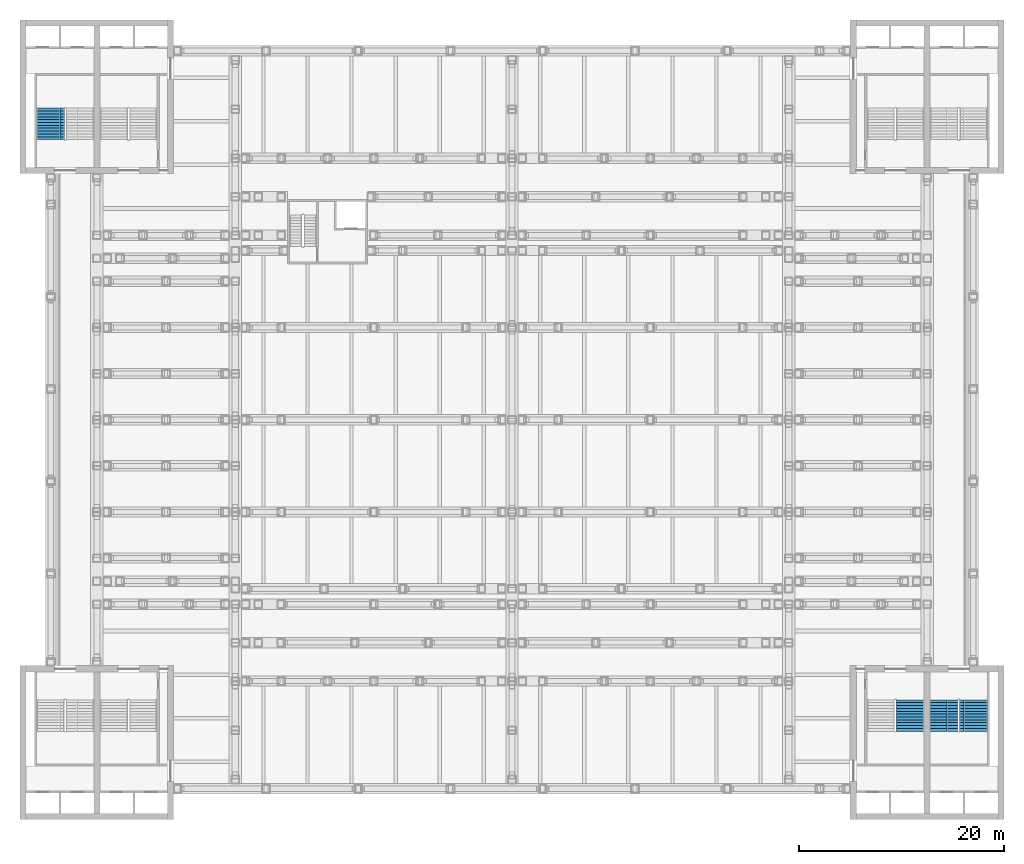
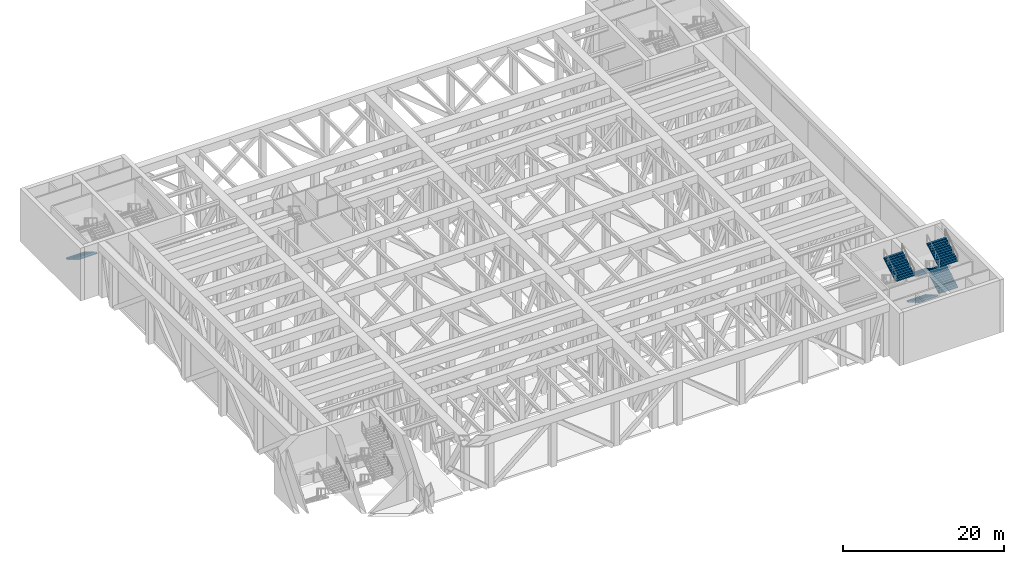
# One storey, part 14 of 20: 6 stair flights, 3 elements without a shape of their own.
"""IFC4 building model written with IfcOpenShell, lengths in metres."""

from ifc_helpers import new_model, si_unit, direction, frame, origin, place, context, subcontext, project, spatial, polyline, outline, extrude, material, type_object, element, aggregate, save


model = new_model("IFC4")

# Units and contexts
model_context = context("Model", 3, precision=1e-05, world=origin(), true_north=direction((0.0, 1.0)))
body_context = subcontext(model_context, "Body", "Model", "MODEL_VIEW")
ifc_project = project(units=[si_unit("LENGTHUNIT", "METRE"), si_unit("AREAUNIT", "SQUARE_METRE"), si_unit("VOLUMEUNIT", "CUBIC_METRE"), si_unit("PLANEANGLEUNIT", "RADIAN"), si_unit("MASSUNIT", "GRAM", prefix="KILO")], contexts=[model_context])

# Site, building, storey
site_placement = place(None, origin())
site = spatial("IfcSite", under=ifc_project, at=site_placement, CompositionType="ELEMENT")
building_placement = place(site_placement, origin())
building = spatial("IfcBuilding", under=site, at=building_placement, Name="Corbelhall Arena Tower", CompositionType="ELEMENT")
storey_placement = place(building_placement, frame((0.0, 0.0, 44.0)))
storey = spatial("IfcBuildingStorey", under=building, at=storey_placement, Name="L06", CompositionType="ELEMENT", Elevation=44.0)

# Stair, stair flight
ifc_material = material(Name="Reinforced concrete C40/50", Category="concrete")
stair_type = type_object("IfcStairType", Name="AR-EXIT-STAIR", PredefinedType="HALF_TURN_STAIR", material=ifc_material)
stair_1_placement = place(storey_placement, origin())
stair_1 = element("IfcStair", 1, at=stair_1_placement, inside=storey, type_object=stair_type, Name="L06 exit stair AS4", PredefinedType="HALF_TURN_STAIR")
stair_flight_type = type_object("IfcStairFlightType", Name="AR-EXIT-FLIGHT", PredefinedType="STRAIGHT", material=ifc_material)
stair_flight_1_placement = place(storey_placement, frame((-45.030029296875, 30.39990234375, 2.0), z_axis=(0.0, 0.0, 1.0), x_axis=(0.0, -1.0, 0.0)))
stair_flight_1 = element("IfcStairFlight", 2, at=stair_flight_1_placement, type_object=stair_flight_type, Name="AS4 flight 2", NumberOfRisers=12, NumberOfTreads=11, PredefinedType="STRAIGHT", RiserHeight=0.166666667, TreadLength=0.28, context=body_context, shape_type="SweptSolid", body=[
    extrude(outline(polyline([(0.0, 0.0), (0.0, 0.166748046875), (0.280029296875, 0.166748046875), (0.280029296875, 0.333251953125), (0.56005859375, 0.333251953125), (0.56005859375, 0.5), (0.840087890625, 0.5), (0.840087890625, 0.666748046875), (1.1201171875, 0.666748046875), (1.1201171875, 0.833251953125), (1.39990234375, 0.833251953125), (1.39990234375, 1.0), (1.679931640625, 1.0), (1.679931640625, 1.166748046875), (1.9599609375, 1.166748046875), (1.9599609375, 1.333251953125), (2.239990234375, 1.333251953125), (2.239990234375, 1.5), (2.52001953125, 1.5), (2.52001953125, 1.666748046875), (2.800048828125, 1.666748046875), (2.800048828125, 1.833251953125), (3.080078125, 1.833251953125), (3.080078125, 2.0), (3.080078125, 1.658935546875), (0.29296875, 0.0), (0.0, 0.0)])), frame((0.0, 1.35986328125, 0.0), z_axis=(0.0, -1.0, 0.0), x_axis=(1.0, 0.0, 0.0)), (0.0, 0.0, 1.0), 0.449951171875),
    extrude(outline(polyline([(0.0, 0.0), (0.0, 0.166748046875), (0.280029296875, 0.166748046875), (0.280029296875, 0.333251953125), (0.56005859375, 0.333251953125), (0.56005859375, 0.5), (0.840087890625, 0.5), (0.840087890625, 0.666748046875), (1.1201171875, 0.666748046875), (1.1201171875, 0.833251953125), (1.39990234375, 0.833251953125), (1.39990234375, 1.0), (1.679931640625, 1.0), (1.679931640625, 1.166748046875), (1.9599609375, 1.166748046875), (1.9599609375, 1.333251953125), (2.239990234375, 1.333251953125), (2.239990234375, 1.5), (2.52001953125, 1.5), (2.52001953125, 1.666748046875), (2.800048828125, 1.666748046875), (2.800048828125, 1.833251953125), (3.080078125, 1.833251953125), (3.080078125, 2.0), (3.080078125, 1.658935546875), (0.29296875, 0.0), (0.0, 0.0)])), frame((0.0, 0.906005859375, 0.0), z_axis=(0.0, -1.0, 0.0), x_axis=(1.0, 0.0, 0.0)), (0.0, 0.0, 1.0), 0.601318359375),
    extrude(outline(polyline([(0.0, 0.0), (0.0, 0.166748046875), (0.280029296875, 0.166748046875), (0.280029296875, 0.333251953125), (0.56005859375, 0.333251953125), (0.56005859375, 0.5), (0.840087890625, 0.5), (0.840087890625, 0.666748046875), (1.1201171875, 0.666748046875), (1.1201171875, 0.833251953125), (1.39990234375, 0.833251953125), (1.39990234375, 1.0), (1.679931640625, 1.0), (1.679931640625, 1.166748046875), (1.9599609375, 1.166748046875), (1.9599609375, 1.333251953125), (2.239990234375, 1.333251953125), (2.239990234375, 1.5), (2.52001953125, 1.5), (2.52001953125, 1.666748046875), (2.800048828125, 1.666748046875), (2.800048828125, 1.833251953125), (3.080078125, 1.833251953125), (3.080078125, 2.0), (3.080078125, 1.658935546875), (0.29296875, 0.0), (0.0, 0.0)])), frame((0.0, 0.30078125, 0.0), z_axis=(0.0, -1.0, 0.0), x_axis=(1.0, 0.0, 0.0)), (0.0, 0.0, 1.0), 0.601318359375),
    extrude(outline(polyline([(0.0, 0.0), (0.0, 0.166748046875), (0.280029296875, 0.166748046875), (0.280029296875, 0.333251953125), (0.56005859375, 0.333251953125), (0.56005859375, 0.5), (0.840087890625, 0.5), (0.840087890625, 0.666748046875), (1.1201171875, 0.666748046875), (1.1201171875, 0.833251953125), (1.39990234375, 0.833251953125), (1.39990234375, 1.0), (1.679931640625, 1.0), (1.679931640625, 1.166748046875), (1.9599609375, 1.166748046875), (1.9599609375, 1.333251953125), (2.239990234375, 1.333251953125), (2.239990234375, 1.5), (2.52001953125, 1.5), (2.52001953125, 1.666748046875), (2.800048828125, 1.666748046875), (2.800048828125, 1.833251953125), (3.080078125, 1.833251953125), (3.080078125, 2.0), (3.080078125, 1.658935546875), (0.29296875, 0.0), (0.0, 0.0)])), frame((0.0, -0.3046875, 0.0), z_axis=(0.0, -1.0, 0.0), x_axis=(1.0, 0.0, 0.0)), (0.0, 0.0, 1.0), 0.601318359375),
    extrude(outline(polyline([(0.0, 0.0), (0.0, 0.166748046875), (0.280029296875, 0.166748046875), (0.280029296875, 0.333251953125), (0.56005859375, 0.333251953125), (0.56005859375, 0.5), (0.840087890625, 0.5), (0.840087890625, 0.666748046875), (1.1201171875, 0.666748046875), (1.1201171875, 0.833251953125), (1.39990234375, 0.833251953125), (1.39990234375, 1.0), (1.679931640625, 1.0), (1.679931640625, 1.166748046875), (1.9599609375, 1.166748046875), (1.9599609375, 1.333251953125), (2.239990234375, 1.333251953125), (2.239990234375, 1.5), (2.52001953125, 1.5), (2.52001953125, 1.666748046875), (2.800048828125, 1.666748046875), (2.800048828125, 1.833251953125), (3.080078125, 1.833251953125), (3.080078125, 2.0), (3.080078125, 1.658935546875), (0.29296875, 0.0), (0.0, 0.0)])), frame((0.0, -0.909912109375, 0.0), z_axis=(0.0, -1.0, 0.0), x_axis=(1.0, 0.0, 0.0)), (0.0, 0.0, 1.0), 0.449951171875),
])
aggregate(stair_1, [stair_flight_1])

stair_2_placement = place(storey_placement, origin())
stair_2 = element("IfcStair", 3, at=stair_2_placement, inside=storey, type_object=stair_type, Name="L06 exit stair AS5", PredefinedType="HALF_TURN_STAIR")
stair_flight_2_placement = place(storey_placement, frame((38.840087890625, -30.39990234375, 6.0), z_axis=(0.0, 0.0, 1.0), x_axis=(0.0, 1.0, 0.0)))
stair_flight_2 = element("IfcStairFlight", 4, at=stair_flight_2_placement, type_object=stair_flight_type, Name="AS5 flight 4", NumberOfRisers=12, NumberOfTreads=11, PredefinedType="STRAIGHT", RiserHeight=0.166666667, TreadLength=0.28, context=body_context, shape_type="SweptSolid", body=[
    extrude(outline(polyline([(0.0, 0.0), (0.0, 0.166748046875), (0.280029296875, 0.166748046875), (0.280029296875, 0.333251953125), (0.56005859375, 0.333251953125), (0.56005859375, 0.5), (0.840087890625, 0.5), (0.840087890625, 0.666748046875), (1.1201171875, 0.666748046875), (1.1201171875, 0.833251953125), (1.39990234375, 0.833251953125), (1.39990234375, 1.0), (1.679931640625, 1.0), (1.679931640625, 1.166748046875), (1.9599609375, 1.166748046875), (1.9599609375, 1.333251953125), (2.239990234375, 1.333251953125), (2.239990234375, 1.5), (2.52001953125, 1.5), (2.52001953125, 1.666748046875), (2.800048828125, 1.666748046875), (2.800048828125, 1.833251953125), (3.080078125, 1.833251953125), (3.080078125, 2.0), (3.080078125, 1.658935546875), (0.29296875, 0.0), (0.0, 0.0)])), frame((0.0, 1.35986328125, 0.0), z_axis=(0.0, -1.0, 0.0), x_axis=(1.0, 0.0, 0.0)), (0.0, 0.0, 1.0), 0.449951171875),
    extrude(outline(polyline([(0.0, 0.0), (0.0, 0.166748046875), (0.280029296875, 0.166748046875), (0.280029296875, 0.333251953125), (0.56005859375, 0.333251953125), (0.56005859375, 0.5), (0.840087890625, 0.5), (0.840087890625, 0.666748046875), (1.1201171875, 0.666748046875), (1.1201171875, 0.833251953125), (1.39990234375, 0.833251953125), (1.39990234375, 1.0), (1.679931640625, 1.0), (1.679931640625, 1.166748046875), (1.9599609375, 1.166748046875), (1.9599609375, 1.333251953125), (2.239990234375, 1.333251953125), (2.239990234375, 1.5), (2.52001953125, 1.5), (2.52001953125, 1.666748046875), (2.800048828125, 1.666748046875), (2.800048828125, 1.833251953125), (3.080078125, 1.833251953125), (3.080078125, 2.0), (3.080078125, 1.658935546875), (0.29296875, 0.0), (0.0, 0.0)])), frame((0.0, 0.906005859375, 0.0), z_axis=(0.0, -1.0, 0.0), x_axis=(1.0, 0.0, 0.0)), (0.0, 0.0, 1.0), 0.601318359375),
    extrude(outline(polyline([(0.0, 0.0), (0.0, 0.166748046875), (0.280029296875, 0.166748046875), (0.280029296875, 0.333251953125), (0.56005859375, 0.333251953125), (0.56005859375, 0.5), (0.840087890625, 0.5), (0.840087890625, 0.666748046875), (1.1201171875, 0.666748046875), (1.1201171875, 0.833251953125), (1.39990234375, 0.833251953125), (1.39990234375, 1.0), (1.679931640625, 1.0), (1.679931640625, 1.166748046875), (1.9599609375, 1.166748046875), (1.9599609375, 1.333251953125), (2.239990234375, 1.333251953125), (2.239990234375, 1.5), (2.52001953125, 1.5), (2.52001953125, 1.666748046875), (2.800048828125, 1.666748046875), (2.800048828125, 1.833251953125), (3.080078125, 1.833251953125), (3.080078125, 2.0), (3.080078125, 1.658935546875), (0.29296875, 0.0), (0.0, 0.0)])), frame((0.0, 0.30078125, 0.0), z_axis=(0.0, -1.0, 0.0), x_axis=(1.0, 0.0, 0.0)), (0.0, 0.0, 1.0), 0.601318359375),
    extrude(outline(polyline([(0.0, 0.0), (0.0, 0.166748046875), (0.280029296875, 0.166748046875), (0.280029296875, 0.333251953125), (0.56005859375, 0.333251953125), (0.56005859375, 0.5), (0.840087890625, 0.5), (0.840087890625, 0.666748046875), (1.1201171875, 0.666748046875), (1.1201171875, 0.833251953125), (1.39990234375, 0.833251953125), (1.39990234375, 1.0), (1.679931640625, 1.0), (1.679931640625, 1.166748046875), (1.9599609375, 1.166748046875), (1.9599609375, 1.333251953125), (2.239990234375, 1.333251953125), (2.239990234375, 1.5), (2.52001953125, 1.5), (2.52001953125, 1.666748046875), (2.800048828125, 1.666748046875), (2.800048828125, 1.833251953125), (3.080078125, 1.833251953125), (3.080078125, 2.0), (3.080078125, 1.658935546875), (0.29296875, 0.0), (0.0, 0.0)])), frame((0.0, -0.3046875, 0.0), z_axis=(0.0, -1.0, 0.0), x_axis=(1.0, 0.0, 0.0)), (0.0, 0.0, 1.0), 0.601318359375),
    extrude(outline(polyline([(0.0, 0.0), (0.0, 0.166748046875), (0.280029296875, 0.166748046875), (0.280029296875, 0.333251953125), (0.56005859375, 0.333251953125), (0.56005859375, 0.5), (0.840087890625, 0.5), (0.840087890625, 0.666748046875), (1.1201171875, 0.666748046875), (1.1201171875, 0.833251953125), (1.39990234375, 0.833251953125), (1.39990234375, 1.0), (1.679931640625, 1.0), (1.679931640625, 1.166748046875), (1.9599609375, 1.166748046875), (1.9599609375, 1.333251953125), (2.239990234375, 1.333251953125), (2.239990234375, 1.5), (2.52001953125, 1.5), (2.52001953125, 1.666748046875), (2.800048828125, 1.666748046875), (2.800048828125, 1.833251953125), (3.080078125, 1.833251953125), (3.080078125, 2.0), (3.080078125, 1.658935546875), (0.29296875, 0.0), (0.0, 0.0)])), frame((0.0, -0.909912109375, 0.0), z_axis=(0.0, -1.0, 0.0), x_axis=(1.0, 0.0, 0.0)), (0.0, 0.0, 1.0), 0.449951171875),
])
aggregate(stair_2, [stair_flight_2])

# Stair, stair flights
stair_3_placement = place(storey_placement, origin())
stair_3 = element("IfcStair", 5, at=stair_3_placement, inside=storey, type_object=stair_type, Name="L06 exit stair AS6", PredefinedType="HALF_TURN_STAIR")
stair_flight_3_placement = place(storey_placement, frame((42.159912109375, -27.320068359375, 0.0), z_axis=(0.0, 0.0, 1.0), x_axis=(0.0, -1.0, 0.0)))
stair_flight_3 = element("IfcStairFlight", 6, at=stair_flight_3_placement, type_object=stair_flight_type, Name="AS6 flight 1", NumberOfRisers=12, NumberOfTreads=11, PredefinedType="STRAIGHT", RiserHeight=0.166666667, TreadLength=0.28, context=body_context, shape_type="SweptSolid", body=[
    extrude(outline(polyline([(0.0, 0.0), (0.0, 0.166748046875), (0.280029296875, 0.166748046875), (0.280029296875, 0.333251953125), (0.56005859375, 0.333251953125), (0.56005859375, 0.5), (0.840087890625, 0.5), (0.840087890625, 0.666748046875), (1.1201171875, 0.666748046875), (1.1201171875, 0.833251953125), (1.39990234375, 0.833251953125), (1.39990234375, 1.0), (1.679931640625, 1.0), (1.679931640625, 1.166748046875), (1.9599609375, 1.166748046875), (1.9599609375, 1.333251953125), (2.239990234375, 1.333251953125), (2.239990234375, 1.5), (2.52001953125, 1.5), (2.52001953125, 1.666748046875), (2.800048828125, 1.666748046875), (2.800048828125, 1.833251953125), (3.080078125, 1.833251953125), (3.080078125, 2.0), (3.080078125, 1.658935546875), (0.29296875, 0.0), (0.0, 0.0)])), frame((0.0, 1.35986328125, 0.0), z_axis=(0.0, -1.0, 0.0), x_axis=(1.0, 0.0, 0.0)), (0.0, 0.0, 1.0), 0.449951171875),
    extrude(outline(polyline([(0.0, 0.0), (0.0, 0.166748046875), (0.280029296875, 0.166748046875), (0.280029296875, 0.333251953125), (0.56005859375, 0.333251953125), (0.56005859375, 0.5), (0.840087890625, 0.5), (0.840087890625, 0.666748046875), (1.1201171875, 0.666748046875), (1.1201171875, 0.833251953125), (1.39990234375, 0.833251953125), (1.39990234375, 1.0), (1.679931640625, 1.0), (1.679931640625, 1.166748046875), (1.9599609375, 1.166748046875), (1.9599609375, 1.333251953125), (2.239990234375, 1.333251953125), (2.239990234375, 1.5), (2.52001953125, 1.5), (2.52001953125, 1.666748046875), (2.800048828125, 1.666748046875), (2.800048828125, 1.833251953125), (3.080078125, 1.833251953125), (3.080078125, 2.0), (3.080078125, 1.658935546875), (0.29296875, 0.0), (0.0, 0.0)])), frame((0.0, 0.906005859375, 0.0), z_axis=(0.0, -1.0, 0.0), x_axis=(1.0, 0.0, 0.0)), (0.0, 0.0, 1.0), 0.601318359375),
    extrude(outline(polyline([(0.0, 0.0), (0.0, 0.166748046875), (0.280029296875, 0.166748046875), (0.280029296875, 0.333251953125), (0.56005859375, 0.333251953125), (0.56005859375, 0.5), (0.840087890625, 0.5), (0.840087890625, 0.666748046875), (1.1201171875, 0.666748046875), (1.1201171875, 0.833251953125), (1.39990234375, 0.833251953125), (1.39990234375, 1.0), (1.679931640625, 1.0), (1.679931640625, 1.166748046875), (1.9599609375, 1.166748046875), (1.9599609375, 1.333251953125), (2.239990234375, 1.333251953125), (2.239990234375, 1.5), (2.52001953125, 1.5), (2.52001953125, 1.666748046875), (2.800048828125, 1.666748046875), (2.800048828125, 1.833251953125), (3.080078125, 1.833251953125), (3.080078125, 2.0), (3.080078125, 1.658935546875), (0.29296875, 0.0), (0.0, 0.0)])), frame((0.0, 0.30078125, 0.0), z_axis=(0.0, -1.0, 0.0), x_axis=(1.0, 0.0, 0.0)), (0.0, 0.0, 1.0), 0.601318359375),
    extrude(outline(polyline([(0.0, 0.0), (0.0, 0.166748046875), (0.280029296875, 0.166748046875), (0.280029296875, 0.333251953125), (0.56005859375, 0.333251953125), (0.56005859375, 0.5), (0.840087890625, 0.5), (0.840087890625, 0.666748046875), (1.1201171875, 0.666748046875), (1.1201171875, 0.833251953125), (1.39990234375, 0.833251953125), (1.39990234375, 1.0), (1.679931640625, 1.0), (1.679931640625, 1.166748046875), (1.9599609375, 1.166748046875), (1.9599609375, 1.333251953125), (2.239990234375, 1.333251953125), (2.239990234375, 1.5), (2.52001953125, 1.5), (2.52001953125, 1.666748046875), (2.800048828125, 1.666748046875), (2.800048828125, 1.833251953125), (3.080078125, 1.833251953125), (3.080078125, 2.0), (3.080078125, 1.658935546875), (0.29296875, 0.0), (0.0, 0.0)])), frame((0.0, -0.3046875, 0.0), z_axis=(0.0, -1.0, 0.0), x_axis=(1.0, 0.0, 0.0)), (0.0, 0.0, 1.0), 0.601318359375),
    extrude(outline(polyline([(0.0, 0.0), (0.0, 0.166748046875), (0.280029296875, 0.166748046875), (0.280029296875, 0.333251953125), (0.56005859375, 0.333251953125), (0.56005859375, 0.5), (0.840087890625, 0.5), (0.840087890625, 0.666748046875), (1.1201171875, 0.666748046875), (1.1201171875, 0.833251953125), (1.39990234375, 0.833251953125), (1.39990234375, 1.0), (1.679931640625, 1.0), (1.679931640625, 1.166748046875), (1.9599609375, 1.166748046875), (1.9599609375, 1.333251953125), (2.239990234375, 1.333251953125), (2.239990234375, 1.5), (2.52001953125, 1.5), (2.52001953125, 1.666748046875), (2.800048828125, 1.666748046875), (2.800048828125, 1.833251953125), (3.080078125, 1.833251953125), (3.080078125, 2.0), (3.080078125, 1.658935546875), (0.29296875, 0.0), (0.0, 0.0)])), frame((0.0, -0.909912109375, 0.0), z_axis=(0.0, -1.0, 0.0), x_axis=(1.0, 0.0, 0.0)), (0.0, 0.0, 1.0), 0.449951171875),
])
stair_flight_4_placement = place(storey_placement, frame((45.030029296875, -30.39990234375, 2.0), z_axis=(0.0, 0.0, 1.0), x_axis=(0.0, 1.0, 0.0)))
stair_flight_4 = element("IfcStairFlight", 7, at=stair_flight_4_placement, type_object=stair_flight_type, Name="AS6 flight 2", NumberOfRisers=12, NumberOfTreads=11, PredefinedType="STRAIGHT", RiserHeight=0.166666667, TreadLength=0.28, context=body_context, shape_type="SweptSolid", body=[
    extrude(outline(polyline([(0.0, 0.0), (0.0, 0.166748046875), (0.280029296875, 0.166748046875), (0.280029296875, 0.333251953125), (0.56005859375, 0.333251953125), (0.56005859375, 0.5), (0.840087890625, 0.5), (0.840087890625, 0.666748046875), (1.1201171875, 0.666748046875), (1.1201171875, 0.833251953125), (1.39990234375, 0.833251953125), (1.39990234375, 1.0), (1.679931640625, 1.0), (1.679931640625, 1.166748046875), (1.9599609375, 1.166748046875), (1.9599609375, 1.333251953125), (2.239990234375, 1.333251953125), (2.239990234375, 1.5), (2.52001953125, 1.5), (2.52001953125, 1.666748046875), (2.800048828125, 1.666748046875), (2.800048828125, 1.833251953125), (3.080078125, 1.833251953125), (3.080078125, 2.0), (3.080078125, 1.658935546875), (0.29296875, 0.0), (0.0, 0.0)])), frame((0.0, 1.35986328125, 0.0), z_axis=(0.0, -1.0, 0.0), x_axis=(1.0, 0.0, 0.0)), (0.0, 0.0, 1.0), 0.449951171875),
    extrude(outline(polyline([(0.0, 0.0), (0.0, 0.166748046875), (0.280029296875, 0.166748046875), (0.280029296875, 0.333251953125), (0.56005859375, 0.333251953125), (0.56005859375, 0.5), (0.840087890625, 0.5), (0.840087890625, 0.666748046875), (1.1201171875, 0.666748046875), (1.1201171875, 0.833251953125), (1.39990234375, 0.833251953125), (1.39990234375, 1.0), (1.679931640625, 1.0), (1.679931640625, 1.166748046875), (1.9599609375, 1.166748046875), (1.9599609375, 1.333251953125), (2.239990234375, 1.333251953125), (2.239990234375, 1.5), (2.52001953125, 1.5), (2.52001953125, 1.666748046875), (2.800048828125, 1.666748046875), (2.800048828125, 1.833251953125), (3.080078125, 1.833251953125), (3.080078125, 2.0), (3.080078125, 1.658935546875), (0.29296875, 0.0), (0.0, 0.0)])), frame((0.0, 0.906005859375, 0.0), z_axis=(0.0, -1.0, 0.0), x_axis=(1.0, 0.0, 0.0)), (0.0, 0.0, 1.0), 0.601318359375),
    extrude(outline(polyline([(0.0, 0.0), (0.0, 0.166748046875), (0.280029296875, 0.166748046875), (0.280029296875, 0.333251953125), (0.56005859375, 0.333251953125), (0.56005859375, 0.5), (0.840087890625, 0.5), (0.840087890625, 0.666748046875), (1.1201171875, 0.666748046875), (1.1201171875, 0.833251953125), (1.39990234375, 0.833251953125), (1.39990234375, 1.0), (1.679931640625, 1.0), (1.679931640625, 1.166748046875), (1.9599609375, 1.166748046875), (1.9599609375, 1.333251953125), (2.239990234375, 1.333251953125), (2.239990234375, 1.5), (2.52001953125, 1.5), (2.52001953125, 1.666748046875), (2.800048828125, 1.666748046875), (2.800048828125, 1.833251953125), (3.080078125, 1.833251953125), (3.080078125, 2.0), (3.080078125, 1.658935546875), (0.29296875, 0.0), (0.0, 0.0)])), frame((0.0, 0.30078125, 0.0), z_axis=(0.0, -1.0, 0.0), x_axis=(1.0, 0.0, 0.0)), (0.0, 0.0, 1.0), 0.601318359375),
    extrude(outline(polyline([(0.0, 0.0), (0.0, 0.166748046875), (0.280029296875, 0.166748046875), (0.280029296875, 0.333251953125), (0.56005859375, 0.333251953125), (0.56005859375, 0.5), (0.840087890625, 0.5), (0.840087890625, 0.666748046875), (1.1201171875, 0.666748046875), (1.1201171875, 0.833251953125), (1.39990234375, 0.833251953125), (1.39990234375, 1.0), (1.679931640625, 1.0), (1.679931640625, 1.166748046875), (1.9599609375, 1.166748046875), (1.9599609375, 1.333251953125), (2.239990234375, 1.333251953125), (2.239990234375, 1.5), (2.52001953125, 1.5), (2.52001953125, 1.666748046875), (2.800048828125, 1.666748046875), (2.800048828125, 1.833251953125), (3.080078125, 1.833251953125), (3.080078125, 2.0), (3.080078125, 1.658935546875), (0.29296875, 0.0), (0.0, 0.0)])), frame((0.0, -0.3046875, 0.0), z_axis=(0.0, -1.0, 0.0), x_axis=(1.0, 0.0, 0.0)), (0.0, 0.0, 1.0), 0.601318359375),
    extrude(outline(polyline([(0.0, 0.0), (0.0, 0.166748046875), (0.280029296875, 0.166748046875), (0.280029296875, 0.333251953125), (0.56005859375, 0.333251953125), (0.56005859375, 0.5), (0.840087890625, 0.5), (0.840087890625, 0.666748046875), (1.1201171875, 0.666748046875), (1.1201171875, 0.833251953125), (1.39990234375, 0.833251953125), (1.39990234375, 1.0), (1.679931640625, 1.0), (1.679931640625, 1.166748046875), (1.9599609375, 1.166748046875), (1.9599609375, 1.333251953125), (2.239990234375, 1.333251953125), (2.239990234375, 1.5), (2.52001953125, 1.5), (2.52001953125, 1.666748046875), (2.800048828125, 1.666748046875), (2.800048828125, 1.833251953125), (3.080078125, 1.833251953125), (3.080078125, 2.0), (3.080078125, 1.658935546875), (0.29296875, 0.0), (0.0, 0.0)])), frame((0.0, -0.909912109375, 0.0), z_axis=(0.0, -1.0, 0.0), x_axis=(1.0, 0.0, 0.0)), (0.0, 0.0, 1.0), 0.449951171875),
])
stair_flight_5_placement = place(storey_placement, frame((42.159912109375, -27.320068359375, 4.0), z_axis=(0.0, 0.0, 1.0), x_axis=(0.0, -1.0, 0.0)))
stair_flight_5 = element("IfcStairFlight", 8, at=stair_flight_5_placement, type_object=stair_flight_type, Name="AS6 flight 3", NumberOfRisers=12, NumberOfTreads=11, PredefinedType="STRAIGHT", RiserHeight=0.166666667, TreadLength=0.28, context=body_context, shape_type="SweptSolid", body=[
    extrude(outline(polyline([(0.0, 0.0), (0.0, 0.166748046875), (0.280029296875, 0.166748046875), (0.280029296875, 0.333251953125), (0.56005859375, 0.333251953125), (0.56005859375, 0.5), (0.840087890625, 0.5), (0.840087890625, 0.666748046875), (1.1201171875, 0.666748046875), (1.1201171875, 0.833251953125), (1.39990234375, 0.833251953125), (1.39990234375, 1.0), (1.679931640625, 1.0), (1.679931640625, 1.166748046875), (1.9599609375, 1.166748046875), (1.9599609375, 1.333251953125), (2.239990234375, 1.333251953125), (2.239990234375, 1.5), (2.52001953125, 1.5), (2.52001953125, 1.666748046875), (2.800048828125, 1.666748046875), (2.800048828125, 1.833251953125), (3.080078125, 1.833251953125), (3.080078125, 2.0), (3.080078125, 1.658935546875), (0.29296875, 0.0), (0.0, 0.0)])), frame((0.0, 1.35986328125, 0.0), z_axis=(0.0, -1.0, 0.0), x_axis=(1.0, 0.0, 0.0)), (0.0, 0.0, 1.0), 0.449951171875),
    extrude(outline(polyline([(0.0, 0.0), (0.0, 0.166748046875), (0.280029296875, 0.166748046875), (0.280029296875, 0.333251953125), (0.56005859375, 0.333251953125), (0.56005859375, 0.5), (0.840087890625, 0.5), (0.840087890625, 0.666748046875), (1.1201171875, 0.666748046875), (1.1201171875, 0.833251953125), (1.39990234375, 0.833251953125), (1.39990234375, 1.0), (1.679931640625, 1.0), (1.679931640625, 1.166748046875), (1.9599609375, 1.166748046875), (1.9599609375, 1.333251953125), (2.239990234375, 1.333251953125), (2.239990234375, 1.5), (2.52001953125, 1.5), (2.52001953125, 1.666748046875), (2.800048828125, 1.666748046875), (2.800048828125, 1.833251953125), (3.080078125, 1.833251953125), (3.080078125, 2.0), (3.080078125, 1.658935546875), (0.29296875, 0.0), (0.0, 0.0)])), frame((0.0, 0.906005859375, 0.0), z_axis=(0.0, -1.0, 0.0), x_axis=(1.0, 0.0, 0.0)), (0.0, 0.0, 1.0), 0.601318359375),
    extrude(outline(polyline([(0.0, 0.0), (0.0, 0.166748046875), (0.280029296875, 0.166748046875), (0.280029296875, 0.333251953125), (0.56005859375, 0.333251953125), (0.56005859375, 0.5), (0.840087890625, 0.5), (0.840087890625, 0.666748046875), (1.1201171875, 0.666748046875), (1.1201171875, 0.833251953125), (1.39990234375, 0.833251953125), (1.39990234375, 1.0), (1.679931640625, 1.0), (1.679931640625, 1.166748046875), (1.9599609375, 1.166748046875), (1.9599609375, 1.333251953125), (2.239990234375, 1.333251953125), (2.239990234375, 1.5), (2.52001953125, 1.5), (2.52001953125, 1.666748046875), (2.800048828125, 1.666748046875), (2.800048828125, 1.833251953125), (3.080078125, 1.833251953125), (3.080078125, 2.0), (3.080078125, 1.658935546875), (0.29296875, 0.0), (0.0, 0.0)])), frame((0.0, 0.30078125, 0.0), z_axis=(0.0, -1.0, 0.0), x_axis=(1.0, 0.0, 0.0)), (0.0, 0.0, 1.0), 0.601318359375),
    extrude(outline(polyline([(0.0, 0.0), (0.0, 0.166748046875), (0.280029296875, 0.166748046875), (0.280029296875, 0.333251953125), (0.56005859375, 0.333251953125), (0.56005859375, 0.5), (0.840087890625, 0.5), (0.840087890625, 0.666748046875), (1.1201171875, 0.666748046875), (1.1201171875, 0.833251953125), (1.39990234375, 0.833251953125), (1.39990234375, 1.0), (1.679931640625, 1.0), (1.679931640625, 1.166748046875), (1.9599609375, 1.166748046875), (1.9599609375, 1.333251953125), (2.239990234375, 1.333251953125), (2.239990234375, 1.5), (2.52001953125, 1.5), (2.52001953125, 1.666748046875), (2.800048828125, 1.666748046875), (2.800048828125, 1.833251953125), (3.080078125, 1.833251953125), (3.080078125, 2.0), (3.080078125, 1.658935546875), (0.29296875, 0.0), (0.0, 0.0)])), frame((0.0, -0.3046875, 0.0), z_axis=(0.0, -1.0, 0.0), x_axis=(1.0, 0.0, 0.0)), (0.0, 0.0, 1.0), 0.601318359375),
    extrude(outline(polyline([(0.0, 0.0), (0.0, 0.166748046875), (0.280029296875, 0.166748046875), (0.280029296875, 0.333251953125), (0.56005859375, 0.333251953125), (0.56005859375, 0.5), (0.840087890625, 0.5), (0.840087890625, 0.666748046875), (1.1201171875, 0.666748046875), (1.1201171875, 0.833251953125), (1.39990234375, 0.833251953125), (1.39990234375, 1.0), (1.679931640625, 1.0), (1.679931640625, 1.166748046875), (1.9599609375, 1.166748046875), (1.9599609375, 1.333251953125), (2.239990234375, 1.333251953125), (2.239990234375, 1.5), (2.52001953125, 1.5), (2.52001953125, 1.666748046875), (2.800048828125, 1.666748046875), (2.800048828125, 1.833251953125), (3.080078125, 1.833251953125), (3.080078125, 2.0), (3.080078125, 1.658935546875), (0.29296875, 0.0), (0.0, 0.0)])), frame((0.0, -0.909912109375, 0.0), z_axis=(0.0, -1.0, 0.0), x_axis=(1.0, 0.0, 0.0)), (0.0, 0.0, 1.0), 0.449951171875),
])
stair_flight_6_placement = place(storey_placement, frame((45.030029296875, -30.39990234375, 6.0), z_axis=(0.0, 0.0, 1.0), x_axis=(0.0, 1.0, 0.0)))
stair_flight_6 = element("IfcStairFlight", 9, at=stair_flight_6_placement, type_object=stair_flight_type, Name="AS6 flight 4", NumberOfRisers=12, NumberOfTreads=11, PredefinedType="STRAIGHT", RiserHeight=0.166666667, TreadLength=0.28, context=body_context, shape_type="SweptSolid", body=[
    extrude(outline(polyline([(0.0, 0.0), (0.0, 0.166748046875), (0.280029296875, 0.166748046875), (0.280029296875, 0.333251953125), (0.56005859375, 0.333251953125), (0.56005859375, 0.5), (0.840087890625, 0.5), (0.840087890625, 0.666748046875), (1.1201171875, 0.666748046875), (1.1201171875, 0.833251953125), (1.39990234375, 0.833251953125), (1.39990234375, 1.0), (1.679931640625, 1.0), (1.679931640625, 1.166748046875), (1.9599609375, 1.166748046875), (1.9599609375, 1.333251953125), (2.239990234375, 1.333251953125), (2.239990234375, 1.5), (2.52001953125, 1.5), (2.52001953125, 1.666748046875), (2.800048828125, 1.666748046875), (2.800048828125, 1.833251953125), (3.080078125, 1.833251953125), (3.080078125, 2.0), (3.080078125, 1.658935546875), (0.29296875, 0.0), (0.0, 0.0)])), frame((0.0, 1.35986328125, 0.0), z_axis=(0.0, -1.0, 0.0), x_axis=(1.0, 0.0, 0.0)), (0.0, 0.0, 1.0), 0.449951171875),
    extrude(outline(polyline([(0.0, 0.0), (0.0, 0.166748046875), (0.280029296875, 0.166748046875), (0.280029296875, 0.333251953125), (0.56005859375, 0.333251953125), (0.56005859375, 0.5), (0.840087890625, 0.5), (0.840087890625, 0.666748046875), (1.1201171875, 0.666748046875), (1.1201171875, 0.833251953125), (1.39990234375, 0.833251953125), (1.39990234375, 1.0), (1.679931640625, 1.0), (1.679931640625, 1.166748046875), (1.9599609375, 1.166748046875), (1.9599609375, 1.333251953125), (2.239990234375, 1.333251953125), (2.239990234375, 1.5), (2.52001953125, 1.5), (2.52001953125, 1.666748046875), (2.800048828125, 1.666748046875), (2.800048828125, 1.833251953125), (3.080078125, 1.833251953125), (3.080078125, 2.0), (3.080078125, 1.658935546875), (0.29296875, 0.0), (0.0, 0.0)])), frame((0.0, 0.906005859375, 0.0), z_axis=(0.0, -1.0, 0.0), x_axis=(1.0, 0.0, 0.0)), (0.0, 0.0, 1.0), 0.601318359375),
    extrude(outline(polyline([(0.0, 0.0), (0.0, 0.166748046875), (0.280029296875, 0.166748046875), (0.280029296875, 0.333251953125), (0.56005859375, 0.333251953125), (0.56005859375, 0.5), (0.840087890625, 0.5), (0.840087890625, 0.666748046875), (1.1201171875, 0.666748046875), (1.1201171875, 0.833251953125), (1.39990234375, 0.833251953125), (1.39990234375, 1.0), (1.679931640625, 1.0), (1.679931640625, 1.166748046875), (1.9599609375, 1.166748046875), (1.9599609375, 1.333251953125), (2.239990234375, 1.333251953125), (2.239990234375, 1.5), (2.52001953125, 1.5), (2.52001953125, 1.666748046875), (2.800048828125, 1.666748046875), (2.800048828125, 1.833251953125), (3.080078125, 1.833251953125), (3.080078125, 2.0), (3.080078125, 1.658935546875), (0.29296875, 0.0), (0.0, 0.0)])), frame((0.0, 0.30078125, 0.0), z_axis=(0.0, -1.0, 0.0), x_axis=(1.0, 0.0, 0.0)), (0.0, 0.0, 1.0), 0.601318359375),
    extrude(outline(polyline([(0.0, 0.0), (0.0, 0.166748046875), (0.280029296875, 0.166748046875), (0.280029296875, 0.333251953125), (0.56005859375, 0.333251953125), (0.56005859375, 0.5), (0.840087890625, 0.5), (0.840087890625, 0.666748046875), (1.1201171875, 0.666748046875), (1.1201171875, 0.833251953125), (1.39990234375, 0.833251953125), (1.39990234375, 1.0), (1.679931640625, 1.0), (1.679931640625, 1.166748046875), (1.9599609375, 1.166748046875), (1.9599609375, 1.333251953125), (2.239990234375, 1.333251953125), (2.239990234375, 1.5), (2.52001953125, 1.5), (2.52001953125, 1.666748046875), (2.800048828125, 1.666748046875), (2.800048828125, 1.833251953125), (3.080078125, 1.833251953125), (3.080078125, 2.0), (3.080078125, 1.658935546875), (0.29296875, 0.0), (0.0, 0.0)])), frame((0.0, -0.3046875, 0.0), z_axis=(0.0, -1.0, 0.0), x_axis=(1.0, 0.0, 0.0)), (0.0, 0.0, 1.0), 0.601318359375),
    extrude(outline(polyline([(0.0, 0.0), (0.0, 0.166748046875), (0.280029296875, 0.166748046875), (0.280029296875, 0.333251953125), (0.56005859375, 0.333251953125), (0.56005859375, 0.5), (0.840087890625, 0.5), (0.840087890625, 0.666748046875), (1.1201171875, 0.666748046875), (1.1201171875, 0.833251953125), (1.39990234375, 0.833251953125), (1.39990234375, 1.0), (1.679931640625, 1.0), (1.679931640625, 1.166748046875), (1.9599609375, 1.166748046875), (1.9599609375, 1.333251953125), (2.239990234375, 1.333251953125), (2.239990234375, 1.5), (2.52001953125, 1.5), (2.52001953125, 1.666748046875), (2.800048828125, 1.666748046875), (2.800048828125, 1.833251953125), (3.080078125, 1.833251953125), (3.080078125, 2.0), (3.080078125, 1.658935546875), (0.29296875, 0.0), (0.0, 0.0)])), frame((0.0, -0.909912109375, 0.0), z_axis=(0.0, -1.0, 0.0), x_axis=(1.0, 0.0, 0.0)), (0.0, 0.0, 1.0), 0.449951171875),
])
aggregate(stair_3, [stair_flight_3, stair_flight_4, stair_flight_5, stair_flight_6])

save(model, "model.ifc")
